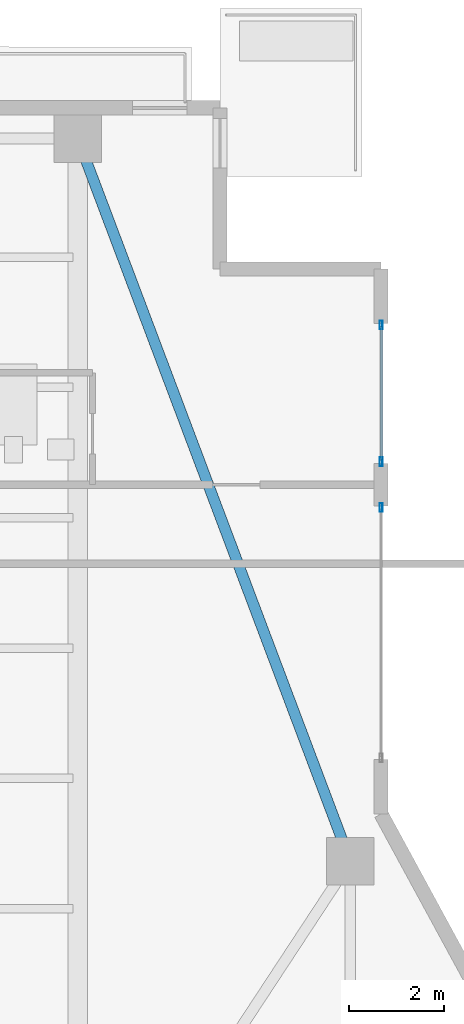
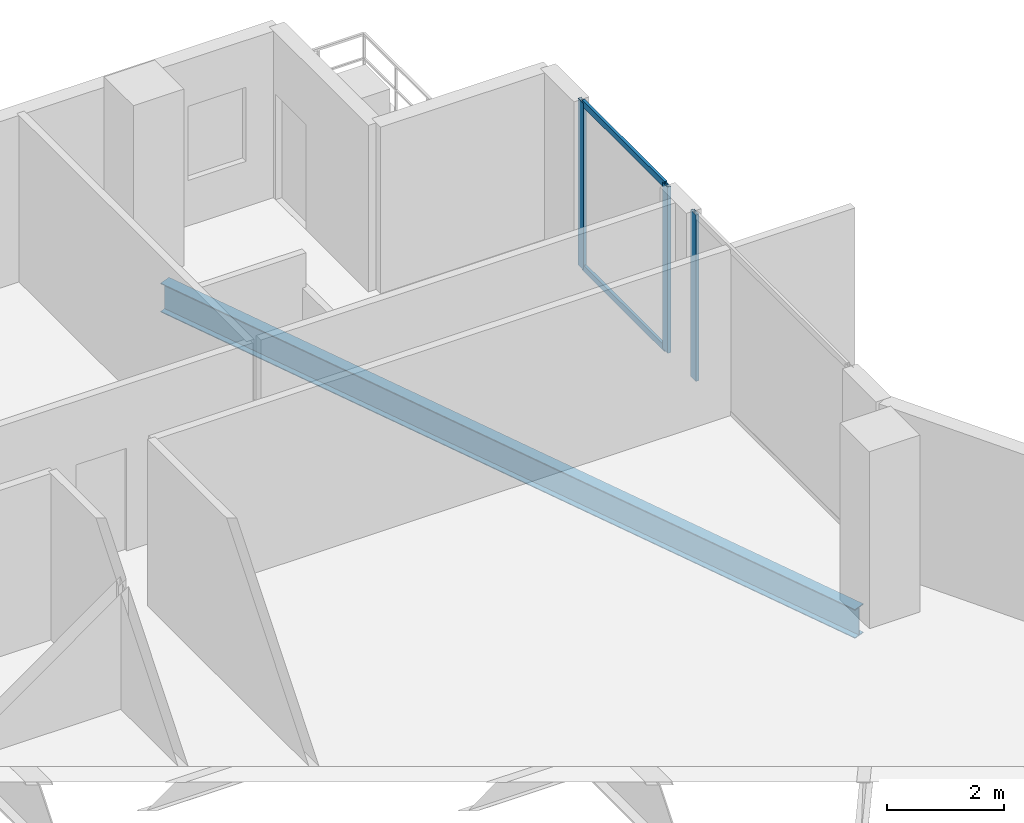
# One storey, part 15 of 23: 5 members, 1 beam, 2 elements without a shape of their own.
"""IFC4 building model written with IfcOpenShell, lengths in metres."""

from ifc_helpers import new_model, si_unit, direction, frame, origin, origin_2d, place, context, subcontext, project, spatial, hollow_rectangle, i_section, extrude, material, layer, layer_set, material_profile, profile_set, type_object, element, aggregate, save


model = new_model("IFC4")

# Units and contexts
model_context = context("Model", 3, precision=1e-05, world=origin(), true_north=direction((0.0, 1.0)))
body_context = subcontext(model_context, "Body", "Model", "MODEL_VIEW")
ifc_project = project(units=[si_unit("LENGTHUNIT", "METRE"), si_unit("AREAUNIT", "SQUARE_METRE"), si_unit("VOLUMEUNIT", "CUBIC_METRE"), si_unit("PLANEANGLEUNIT", "RADIAN"), si_unit("MASSUNIT", "GRAM", prefix="KILO")], contexts=[model_context])

# Site, building, storey
site_placement = place(None, origin())
site = spatial("IfcSite", under=ifc_project, at=site_placement, CompositionType="ELEMENT")
building_placement = place(site_placement, origin())
building = spatial("IfcBuilding", under=site, at=building_placement, Name="Zuhayl Quay Hotel", CompositionType="ELEMENT")
storey_placement = place(building_placement, frame((0.0, 0.0, 265.550048828125)))
storey = spatial("IfcBuildingStorey", under=building, at=storey_placement, Name="L67", CompositionType="ELEMENT", Elevation=265.550048828125)

# Beam
ifc_material_1 = material(Name="Steel ASTM A992 Grade 50", Category="steel")
ifc_material_profile_1 = material_profile(ifc_material_1, i_section(OverallWidth=0.22802734375, OverallDepth=0.60693359375, WebThickness=0.01123046875, FlangeThickness=0.017333984375, at=origin_2d()), Name="W24X76")
ifc_profile_set_1 = profile_set([ifc_material_profile_1], Name="Steel ASTM A992 Grade 50")
beam_type = type_object("IfcBeamType", Name="BM_B3_W24X76", PredefinedType="BEAM", material=ifc_profile_set_1)
beam_placement = place(storey_placement, frame((19.3876953125, 23.530517578125, -0.5234375), z_axis=(-0.352796603103, 0.935700035716, 0.0), x_axis=(-0.935700035716, -0.352796603103, 0.0)))
element("IfcBeam", 1, at=beam_placement, inside=storey, type_object=beam_type, Name="L67 Floor Beam RG_L67_06", PredefinedType="BEAM", context=body_context, shape_type="SweptSolid", body=[
    extrude(i_section(OverallWidth=0.22802734375, OverallDepth=0.60693359375, WebThickness=0.01123046875, FlangeThickness=0.017333984375, at=origin_2d()), origin(), (0.0, 0.0, 1.0), 15.3779296875),
])

# Curtain wall, members
ifc_material_2 = material(Name="Anodised Aluminium 6063-T6", Category="aluminium")
ifc_layer = layer(ifc_material_2, 0.169921875, Name="Anodised Aluminium 6063-T6", Category="aluminium")
ifc_layer_set = layer_set([ifc_layer], Name="Anodised Aluminium 6063-T6")
curtain_wall_type = type_object("IfcCurtainWallType", Name="CW_SYS_Z4", PredefinedType="USERDEFINED", material=ifc_layer_set)
curtain_wall_1_placement = place(storey_placement, origin())
curtain_wall_1 = element("IfcCurtainWall", 2, at=curtain_wall_1_placement, inside=storey, type_object=curtain_wall_type, Name="L67 Curtain Wall ENV_L67_E11_CW1", ObjectType="UNITISED CURTAIN WALL", PredefinedType="USERDEFINED")
ifc_material_3 = material(Name="Black-anodised aluminium 6063-T6", Category="aluminium")
ifc_material_profile_2 = material_profile(ifc_material_3, hollow_rectangle(XDim=0.06494140625, YDim=0.179931640625, WallThickness=0.00341796875, at=origin_2d()), Name="ALU180X65")
ifc_profile_set_2 = profile_set([ifc_material_profile_2], Name="Black-anodised aluminium 6063-T6")
member_type_1 = type_object("IfcMemberType", Name="MB_CW_MUL_180", PredefinedType="MULLION", material=ifc_profile_set_2)
member_1_placement = place(storey_placement, frame((20.199951171875, 34.41748046875, 0.0), z_axis=(0.0, 0.0, 1.0), x_axis=(1.0, 0.0, 0.0)))
member_1 = element("IfcMember", 3, at=member_1_placement, type_object=member_type_1, Name="CW-Z4 mullion 1", PredefinedType="MULLION", context=body_context, shape_type="SweptSolid", body=[
    extrude(hollow_rectangle(XDim=0.06494140625, YDim=0.179931640625, WallThickness=0.00341796875, at=origin_2d()), origin(), (0.0, 0.0, 1.0), 3.47998046875),
])
member_2_placement = place(storey_placement, frame((20.199951171875, 31.532470703125, 0.0), z_axis=(0.0, 0.0, 1.0), x_axis=(1.0, 0.0, 0.0)))
member_2 = element("IfcMember", 4, at=member_2_placement, type_object=member_type_1, Name="CW-Z4 mullion 2", PredefinedType="MULLION", context=body_context, shape_type="SweptSolid", body=[
    extrude(hollow_rectangle(XDim=0.06494140625, YDim=0.179931640625, WallThickness=0.00341796875, at=origin_2d()), origin(), (0.0, 0.0, 1.0), 3.47998046875),
])

# Curtain wall, member
curtain_wall_2_placement = place(storey_placement, origin())
curtain_wall_2 = element("IfcCurtainWall", 5, at=curtain_wall_2_placement, inside=storey, type_object=curtain_wall_type, Name="L67 Curtain Wall ENV_L67_E11_CW2", ObjectType="UNITISED CURTAIN WALL", PredefinedType="USERDEFINED")
member_3_placement = place(storey_placement, frame((20.199951171875, 30.5673828125, 0.0), z_axis=(0.0, 0.0, 1.0), x_axis=(1.0, 0.0, 0.0)))
member_3 = element("IfcMember", 6, at=member_3_placement, type_object=member_type_1, Name="CW-Z4 mullion 1", PredefinedType="MULLION", context=body_context, shape_type="SweptSolid", body=[
    extrude(hollow_rectangle(XDim=0.06494140625, YDim=0.179931640625, WallThickness=0.00341796875, at=origin_2d()), origin(), (0.0, 0.0, 1.0), 3.47998046875),
])
aggregate(curtain_wall_2, [member_3])

# Member
ifc_material_profile_3 = material_profile(ifc_material_3, hollow_rectangle(XDim=0.054931640625, YDim=0.1298828125, WallThickness=0.0029296875, at=origin_2d()), Name="ALU130X55")
ifc_profile_set_3 = profile_set([ifc_material_profile_3], Name="Black-anodised aluminium 6063-T6")
member_type_2 = type_object("IfcMemberType", Name="MB_CW_TRN_130", PredefinedType="USERDEFINED", material=ifc_profile_set_3)
member_4_placement = place(storey_placement, frame((20.199951171875, 34.385009765625, 0.02734375), z_axis=(0.0, -1.0, 0.0), x_axis=(1.0, 0.0, 0.0)))
member_4 = element("IfcMember", 7, at=member_4_placement, type_object=member_type_2, Name="CW-Z4 transom 1.1", ObjectType="TRANSOM", PredefinedType="USERDEFINED", context=body_context, shape_type="SweptSolid", body=[
    extrude(hollow_rectangle(XDim=0.054931640625, YDim=0.1298828125, WallThickness=0.0029296875, at=origin_2d()), origin(), (0.0, 0.0, 1.0), 2.820068359375),
])

member_5_placement = place(storey_placement, frame((20.199951171875, 34.385009765625, 3.452392578125), z_axis=(0.0, -1.0, 0.0), x_axis=(1.0, 0.0, 0.0)))
member_5 = element("IfcMember", 8, at=member_5_placement, type_object=member_type_2, Name="CW-Z4 transom 1.2", ObjectType="TRANSOM", PredefinedType="USERDEFINED", context=body_context, shape_type="SweptSolid", body=[
    extrude(hollow_rectangle(XDim=0.054931640625, YDim=0.1298828125, WallThickness=0.0029296875, at=origin_2d()), origin(), (0.0, 0.0, 1.0), 2.820068359375),
])

aggregate(curtain_wall_1, [member_1, member_2, member_4, member_5])

save(model, "model.ifc")
